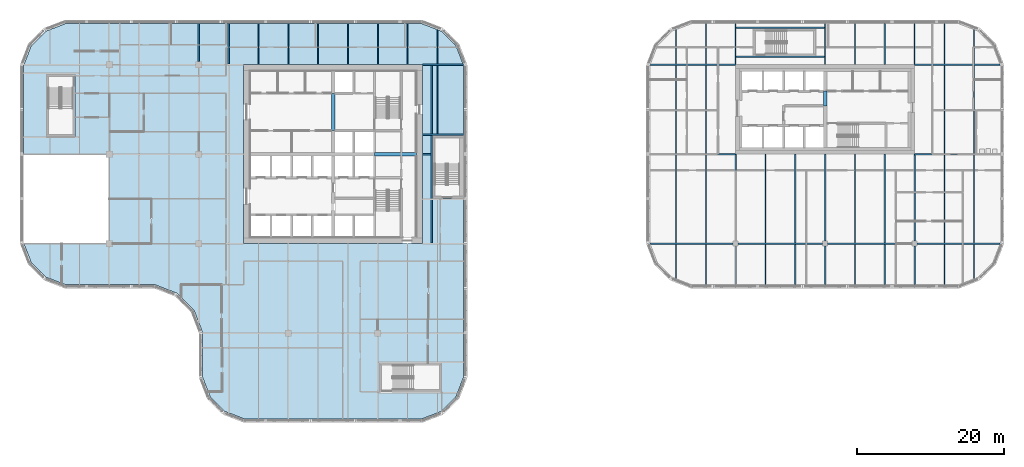
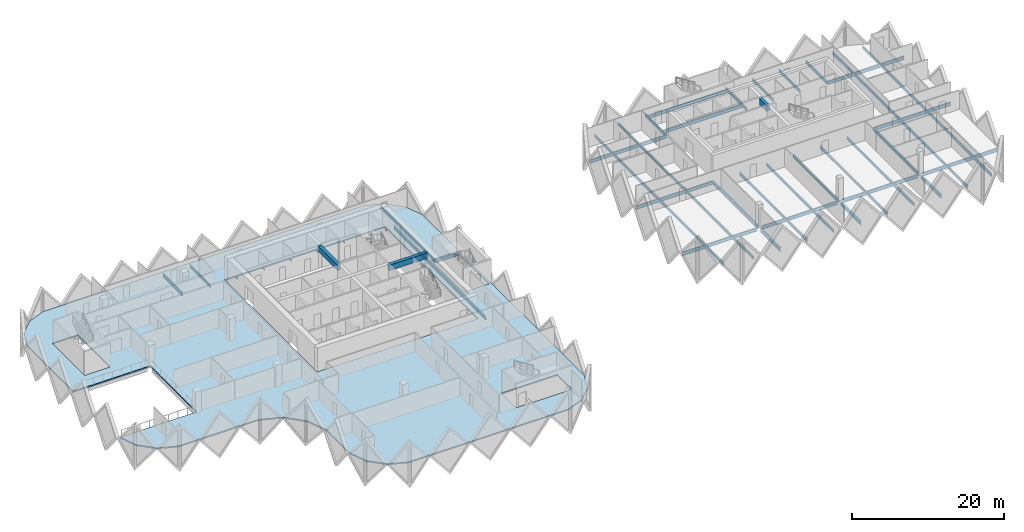
# One storey, part 2 of 19: 62 beams, 1 slab.
"""IFC4 building model written with IfcOpenShell, lengths in metres."""

from ifc_helpers import new_model, si_unit, direction, frame, origin, origin_2d, place, context, subcontext, project, spatial, polyline, rectangle, i_section, outline, extrude, material, layer, layer_set, material_profile, profile_set, type_object, element, save


model = new_model("IFC4")

# Units and contexts
model_context = context("Model", 3, precision=1e-05, world=origin(), true_north=direction((0.0, 1.0)))
body_context = subcontext(model_context, "Body", "Model", "MODEL_VIEW")
ifc_project = project(units=[si_unit("LENGTHUNIT", "METRE"), si_unit("AREAUNIT", "SQUARE_METRE"), si_unit("VOLUMEUNIT", "CUBIC_METRE"), si_unit("PLANEANGLEUNIT", "RADIAN"), si_unit("MASSUNIT", "GRAM", prefix="KILO")], contexts=[model_context])

# Site, building, storey
site_placement = place(None, origin())
site = spatial("IfcSite", under=ifc_project, at=site_placement, CompositionType="ELEMENT")
building_placement = place(site_placement, origin())
building = spatial("IfcBuilding", under=site, at=building_placement, Name="Tessera Gate Towers", CompositionType="ELEMENT")
storey_placement = place(building_placement, frame((0.0, 0.0, 83.800048828125)))
storey = spatial("IfcBuildingStorey", under=building, at=storey_placement, Name="L20", CompositionType="ELEMENT", Elevation=83.800048828125)

# Beams
ifc_material_1 = material(Name="Concrete C50/60", Category="concrete")
ifc_material_profile_1 = material_profile(ifc_material_1, rectangle(XDim=0.5, YDim=0.89990234375, at=origin_2d()), Name="RC 500x900")
ifc_profile_set_1 = profile_set([ifc_material_profile_1], Name="Concrete C50/60")
beam_type_1 = type_object("IfcBeamType", Name="COUPLING BEAM 500x900 C50/60", PredefinedType="BEAM", material=ifc_profile_set_1)
beam_1_placement = place(storey_placement, frame((109.800048828125, 43.199951171875, 3.14990234375), z_axis=(0.0, 1.0, 0.0), x_axis=(-1.0, 0.0, 0.0)))
element("IfcBeam", 1, at=beam_1_placement, inside=storey, type_object=beam_type_1, Name="L20 coupling beam 1", PredefinedType="BEAM", context=body_context, shape_type="SweptSolid", body=[
    extrude(rectangle(XDim=0.5, YDim=0.89990234375, at=origin_2d()), origin(), (0.0, 0.0, 1.0), 2.0),
])
ifc_material_2 = material(Name="Concrete C60/75", Category="concrete")
ifc_material_profile_2 = material_profile(ifc_material_2, rectangle(XDim=0.5, YDim=0.89990234375, at=origin_2d()), Name="RC 500x900")
ifc_profile_set_2 = profile_set([ifc_material_profile_2], Name="Concrete C60/75")
beam_type_2 = type_object("IfcBeamType", Name="COUPLING BEAM 500x900 C60/75", PredefinedType="BEAM", material=ifc_profile_set_2)
beam_2_placement = place(storey_placement, frame((48.35009765625, 36.60009765625, 3.14990234375), z_axis=(1.0, 0.0, 0.0), x_axis=(0.0, 1.0, 0.0)))
element("IfcBeam", 2, at=beam_2_placement, inside=storey, type_object=beam_type_2, Name="L20 coupling beam 1", PredefinedType="BEAM", context=body_context, shape_type="SweptSolid", body=[
    extrude(rectangle(XDim=0.5, YDim=0.89990234375, at=origin_2d()), origin(), (0.0, 0.0, 1.0), 5.75),
])
beam_3_placement = place(storey_placement, frame((42.699951171875, 39.800048828125, 3.14990234375), z_axis=(0.0, 1.0, 0.0), x_axis=(-1.0, 0.0, 0.0)))
element("IfcBeam", 3, at=beam_3_placement, inside=storey, type_object=beam_type_2, Name="L20 coupling beam 2", PredefinedType="BEAM", context=body_context, shape_type="SweptSolid", body=[
    extrude(rectangle(XDim=0.5, YDim=0.89990234375, at=origin_2d()), origin(), (0.0, 0.0, 1.0), 5.099853515625),
])
ifc_material_3 = material(Name="Steel 350W", Category="steel")
ifc_material_profile_3 = material_profile(ifc_material_3, i_section(OverallWidth=0.208984375, OverallDepth=0.532958984375, WebThickness=0.01025390625, FlangeThickness=0.015625, at=origin_2d()), Name="W530x92")
ifc_profile_set_3 = profile_set([ifc_material_profile_3], Name="Steel 350W")
beam_type_3 = type_object("IfcBeamType", Name="FLOOR GIRDER W530x92", PredefinedType="BEAM", material=ifc_profile_set_3)
beam_4_placement = place(storey_placement, frame((54.89892578125, 36.60009765625, -0.466552734375), z_axis=(1.0, 0.0, 0.0), x_axis=(0.0, 1.0, 0.0)))
element("IfcBeam", 4, at=beam_4_placement, inside=storey, type_object=beam_type_3, Name="T1-GD-L20-2711", PredefinedType="BEAM", context=body_context, shape_type="SweptSolid", body=[
    extrude(i_section(OverallWidth=0.208984375, OverallDepth=0.532958984375, WebThickness=0.01025390625, FlangeThickness=0.015625, at=origin_2d()), origin(), (0.0, 0.0, 1.0), 1.176513671875),
])
beam_5_placement = place(storey_placement, frame((54.90087890625, 48.800048828125, -0.466552734375), z_axis=(1.0, 0.0, 0.0), x_axis=(0.0, 1.0, 0.0)))
element("IfcBeam", 5, at=beam_5_placement, inside=storey, type_object=beam_type_3, Name="T1-GD-L20-2715", PredefinedType="BEAM", context=body_context, shape_type="SweptSolid", body=[
    extrude(i_section(OverallWidth=0.208984375, OverallDepth=0.532958984375, WebThickness=0.01025390625, FlangeThickness=0.015625, at=origin_2d()), origin(), (0.0, 0.0, 1.0), 5.564208984375),
])
beam_6_placement = place(storey_placement, frame((24.39990234375, 49.25, -0.466552734375), z_axis=(0.0, 1.0, 0.0), x_axis=(-1.0, 0.0, 0.0)))
element("IfcBeam", 6, at=beam_6_placement, inside=storey, type_object=beam_type_3, Name="T1-GD-L20-2723", PredefinedType="BEAM", context=body_context, shape_type="SweptSolid", body=[
    extrude(i_section(OverallWidth=0.208984375, OverallDepth=0.532958984375, WebThickness=0.01025390625, FlangeThickness=0.015625, at=origin_2d()), origin(), (0.0, 0.0, 1.0), 5.15087890625),
])
beam_7_placement = place(storey_placement, frame((54.89892578125, 39.219970703125, -0.466552734375), z_axis=(1.0, 0.0, 0.0), x_axis=(0.0, 1.0, 0.0)))
element("IfcBeam", 7, at=beam_7_placement, inside=storey, type_object=beam_type_3, Name="T1-GD-L20-2733", PredefinedType="BEAM", context=body_context, shape_type="SweptSolid", body=[
    extrude(i_section(OverallWidth=0.208984375, OverallDepth=0.532958984375, WebThickness=0.01025390625, FlangeThickness=0.015625, at=origin_2d()), origin(), (0.0, 0.0, 1.0), 5.60205078125),
])
beam_8_placement = place(storey_placement, frame((56.179931640625, 24.50439453125, -0.466552734375), z_axis=(0.0, 1.0, 0.0), x_axis=(-1.0, 0.0, 0.0)))
element("IfcBeam", 8, at=beam_8_placement, inside=storey, type_object=beam_type_3, Name="T1-GD-L20-2734", PredefinedType="BEAM", context=body_context, shape_type="SweptSolid", body=[
    extrude(i_section(OverallWidth=0.208984375, OverallDepth=0.532958984375, WebThickness=0.01025390625, FlangeThickness=0.015625, at=origin_2d()), origin(), (0.0, 0.0, 1.0), 24.191162109375),
])
beam_9_placement = place(storey_placement, frame((85.934814453125, 24.39990234375, -0.466552734375), z_axis=(1.0, 0.0, 0.0), x_axis=(0.0, 1.0, 0.0)))
element("IfcBeam", 9, at=beam_9_placement, inside=storey, type_object=beam_type_3, Name="T2-GD-L20-2775", PredefinedType="BEAM", context=body_context, shape_type="SweptSolid", body=[
    extrude(i_section(OverallWidth=0.208984375, OverallDepth=0.532958984375, WebThickness=0.01025390625, FlangeThickness=0.015625, at=origin_2d()), origin(), (0.0, 0.0, 1.0), 11.315185546875),
])
for number, where, z_axis, x_axis, name in (
    (10, (97.949951171875, 24.39990234375, -0.466552734375), (1.0, 0.0, 0.0), (0.0, 1.0, 0.0), "T2-GD-L20-2776"),
    (11, (110.14990234375, 24.39990234375, -0.466552734375), (1.0, 0.0, 0.0), (0.0, 1.0, 0.0), "T2-GD-L20-2777"),
):
    element("IfcBeam", number, at=place(storey_placement, frame(where, z_axis=z_axis, x_axis=x_axis)), inside=storey, type_object=beam_type_3, Name=name, PredefinedType="BEAM", context=body_context, shape_type="SweptSolid", body=[
        extrude(i_section(OverallWidth=0.208984375, OverallDepth=0.532958984375, WebThickness=0.01025390625, FlangeThickness=0.015625, at=origin_2d()), origin(), (0.0, 0.0, 1.0), 11.5),
    ])
beam_10_placement = place(storey_placement, frame((122.35009765625, 24.39990234375, -0.466552734375), z_axis=(1.0, 0.0, 0.0), x_axis=(0.0, 1.0, 0.0)))
element("IfcBeam", 12, at=beam_10_placement, inside=storey, type_object=beam_type_3, Name="T2-GD-L20-2778", PredefinedType="BEAM", context=body_context, shape_type="SweptSolid", body=[
    extrude(i_section(OverallWidth=0.208984375, OverallDepth=0.532958984375, WebThickness=0.01025390625, FlangeThickness=0.015625, at=origin_2d()), origin(), (0.0, 0.0, 1.0), 11.315185546875),
])
beam_11_placement = place(storey_placement, frame((85.89892578125, 36.60009765625, -0.466552734375), z_axis=(1.0, 0.0, 0.0), x_axis=(0.0, 1.0, 0.0)))
element("IfcBeam", 13, at=beam_11_placement, inside=storey, type_object=beam_type_3, Name="T2-GD-L20-2779", PredefinedType="BEAM", context=body_context, shape_type="SweptSolid", body=[
    extrude(i_section(OverallWidth=0.208984375, OverallDepth=0.532958984375, WebThickness=0.01025390625, FlangeThickness=0.015625, at=origin_2d()), origin(), (0.0, 0.0, 1.0), 11.7001953125),
])
beam_12_placement = place(storey_placement, frame((122.0009765625, 36.60009765625, -0.466552734375), z_axis=(1.0, 0.0, 0.0), x_axis=(0.0, 1.0, 0.0)))
element("IfcBeam", 14, at=beam_12_placement, inside=storey, type_object=beam_type_3, Name="T2-GD-L20-2780", PredefinedType="BEAM", context=body_context, shape_type="SweptSolid", body=[
    extrude(i_section(OverallWidth=0.208984375, OverallDepth=0.532958984375, WebThickness=0.01025390625, FlangeThickness=0.015625, at=origin_2d()), origin(), (0.0, 0.0, 1.0), 11.699951171875),
])
for number, where, z_axis, x_axis, name in (
    (15, (85.934814453125, 48.800048828125, -0.466552734375), (1.0, 0.0, 0.0), (0.0, 1.0, 0.0), "T2-GD-L20-2781"),
    (16, (122.0009765625, 48.800048828125, -0.466552734375), (1.0, 0.0, 0.0), (0.0, 1.0, 0.0), "T2-GD-L20-2782"),
):
    element("IfcBeam", number, at=place(storey_placement, frame(where, z_axis=z_axis, x_axis=x_axis)), inside=storey, type_object=beam_type_3, Name=name, PredefinedType="BEAM", context=body_context, shape_type="SweptSolid", body=[
        extrude(i_section(OverallWidth=0.208984375, OverallDepth=0.532958984375, WebThickness=0.01025390625, FlangeThickness=0.015625, at=origin_2d()), origin(), (0.0, 0.0, 1.0), 11.664306640625),
    ])
beam_13_placement = place(storey_placement, frame((97.60009765625, 18.799072265625, -0.466552734375), z_axis=(0.0, 1.0, 0.0), x_axis=(-1.0, 0.0, 0.0)))
element("IfcBeam", 17, at=beam_13_placement, inside=storey, type_object=beam_type_3, Name="T2-GD-L20-2783", PredefinedType="BEAM", context=body_context, shape_type="SweptSolid", body=[
    extrude(i_section(OverallWidth=0.208984375, OverallDepth=0.532958984375, WebThickness=0.01025390625, FlangeThickness=0.015625, at=origin_2d()), origin(), (0.0, 0.0, 1.0), 5.2509765625),
])
beam_14_placement = place(storey_placement, frame((97.60009765625, 24.75, -0.466552734375), z_axis=(0.0, 1.0, 0.0), x_axis=(-1.0, 0.0, 0.0)))
element("IfcBeam", 18, at=beam_14_placement, inside=storey, type_object=beam_type_3, Name="T2-GD-L20-2784", PredefinedType="BEAM", context=body_context, shape_type="SweptSolid", body=[
    extrude(i_section(OverallWidth=0.208984375, OverallDepth=0.532958984375, WebThickness=0.01025390625, FlangeThickness=0.015625, at=origin_2d()), origin(), (0.0, 0.0, 1.0), 11.85009765625),
])
beam_15_placement = place(storey_placement, frame((109.800048828125, 18.799072265625, -0.466552734375), z_axis=(0.0, 1.0, 0.0), x_axis=(-1.0, 0.0, 0.0)))
element("IfcBeam", 19, at=beam_15_placement, inside=storey, type_object=beam_type_3, Name="T2-GD-L20-2785", PredefinedType="BEAM", context=body_context, shape_type="SweptSolid", body=[
    extrude(i_section(OverallWidth=0.208984375, OverallDepth=0.532958984375, WebThickness=0.01025390625, FlangeThickness=0.015625, at=origin_2d()), origin(), (0.0, 0.0, 1.0), 5.2509765625),
])
beam_16_placement = place(storey_placement, frame((109.800048828125, 24.75, -0.466552734375), z_axis=(0.0, 1.0, 0.0), x_axis=(-1.0, 0.0, 0.0)))
element("IfcBeam", 20, at=beam_16_placement, inside=storey, type_object=beam_type_3, Name="T2-GD-L20-2786", PredefinedType="BEAM", context=body_context, shape_type="SweptSolid", body=[
    extrude(i_section(OverallWidth=0.208984375, OverallDepth=0.532958984375, WebThickness=0.01025390625, FlangeThickness=0.015625, at=origin_2d()), origin(), (0.0, 0.0, 1.0), 11.85009765625),
])
beam_17_placement = place(storey_placement, frame((122.0, 18.799072265625, -0.466552734375), z_axis=(0.0, 1.0, 0.0), x_axis=(-1.0, 0.0, 0.0)))
element("IfcBeam", 21, at=beam_17_placement, inside=storey, type_object=beam_type_3, Name="T2-GD-L20-2787", PredefinedType="BEAM", context=body_context, shape_type="SweptSolid", body=[
    extrude(i_section(OverallWidth=0.208984375, OverallDepth=0.532958984375, WebThickness=0.01025390625, FlangeThickness=0.015625, at=origin_2d()), origin(), (0.0, 0.0, 1.0), 5.2509765625),
])
beam_18_placement = place(storey_placement, frame((122.0, 24.75, -0.466552734375), z_axis=(0.0, 1.0, 0.0), x_axis=(-1.0, 0.0, 0.0)))
element("IfcBeam", 22, at=beam_18_placement, inside=storey, type_object=beam_type_3, Name="T2-GD-L20-2788", PredefinedType="BEAM", context=body_context, shape_type="SweptSolid", body=[
    extrude(i_section(OverallWidth=0.208984375, OverallDepth=0.532958984375, WebThickness=0.01025390625, FlangeThickness=0.015625, at=origin_2d()), origin(), (0.0, 0.0, 1.0), 11.85009765625),
])
for number, where, z_axis, x_axis, name in (
    (23, (97.676513671875, 49.8798828125, -0.466552734375), (1.0, 0.0, 0.0), (0.0, 1.0, 0.0), "T2-GD-L20-2789"),
    (24, (97.676513671875, 53.820068359375, -0.466552734375), (1.0, 0.0, 0.0), (0.0, 1.0, 0.0), "T2-GD-L20-2790"),
):
    element("IfcBeam", number, at=place(storey_placement, frame(where, z_axis=z_axis, x_axis=x_axis)), inside=storey, type_object=beam_type_3, Name=name, PredefinedType="BEAM", context=body_context, shape_type="SweptSolid", body=[
        extrude(i_section(OverallWidth=0.208984375, OverallDepth=0.532958984375, WebThickness=0.01025390625, FlangeThickness=0.015625, at=origin_2d()), origin(), (0.0, 0.0, 1.0), 12.046875),
    ])
ifc_material_4 = material(Name="Steel 350W", Category="steel")
ifc_material_profile_4 = material_profile(ifc_material_4, i_section(OverallWidth=0.153076171875, OverallDepth=0.455078125, WebThickness=0.008056640625, FlangeThickness=0.01318359375, at=origin_2d()), Name="W460x60")
ifc_profile_set_4 = profile_set([ifc_material_profile_4], Name="Steel 350W")
beam_type_4 = type_object("IfcBeamType", Name="FLOOR SECONDARY W460x60", PredefinedType="BEAM", material=ifc_profile_set_4)
beam_19_placement = place(storey_placement, frame((28.466796875, 48.904541015625, -0.427490234375), z_axis=(0.0, 1.0, 0.0), x_axis=(-1.0, 0.0, 0.0)))
element("IfcBeam", 25, at=beam_19_placement, inside=storey, type_object=beam_type_4, Name="T1-BM-L20-2753", PredefinedType="BEAM", context=body_context, shape_type="SweptSolid", body=[
    extrude(i_section(OverallWidth=0.153076171875, OverallDepth=0.455078125, WebThickness=0.008056640625, FlangeThickness=0.01318359375, at=origin_2d()), origin(), (0.0, 0.0, 1.0), 5.495361328125),
])
for number, where, z_axis, x_axis, name in (
    (26, (32.533203125, 48.800048828125, -0.427490234375), (0.0, 1.0, 0.0), (-1.0, 0.0, 0.0), "T1-BM-L20-2756"),
    (27, (36.60009765625, 48.800048828125, -0.427490234375), (0.0, 1.0, 0.0), (-1.0, 0.0, 0.0), "T1-BM-L20-2757"),
    (28, (40.666748046875, 48.800048828125, -0.427490234375), (0.0, 1.0, 0.0), (-1.0, 0.0, 0.0), "T1-BM-L20-2760"),
    (29, (44.7333984375, 48.800048828125, -0.427490234375), (0.0, 1.0, 0.0), (-1.0, 0.0, 0.0), "T1-BM-L20-2763"),
    (30, (48.800048828125, 48.800048828125, -0.427490234375), (0.0, 1.0, 0.0), (-1.0, 0.0, 0.0), "T1-BM-L20-2764"),
    (31, (52.86669921875, 48.800048828125, -0.427490234375), (0.0, 1.0, 0.0), (-1.0, 0.0, 0.0), "T1-BM-L20-2768"),
):
    element("IfcBeam", number, at=place(storey_placement, frame(where, z_axis=z_axis, x_axis=x_axis)), inside=storey, type_object=beam_type_4, Name=name, PredefinedType="BEAM", context=body_context, shape_type="SweptSolid", body=[
        extrude(i_section(OverallWidth=0.153076171875, OverallDepth=0.455078125, WebThickness=0.008056640625, FlangeThickness=0.01318359375, at=origin_2d()), origin(), (0.0, 0.0, 1.0), 5.599853515625),
    ])
beam_20_placement = place(storey_placement, frame((56.933349609375, 39.324462890625, -0.427490234375), z_axis=(0.0, 1.0, 0.0), x_axis=(-1.0, 0.0, 0.0)))
element("IfcBeam", 32, at=beam_20_placement, inside=storey, type_object=beam_type_4, Name="T1-BM-L20-2773", PredefinedType="BEAM", context=body_context, shape_type="SweptSolid", body=[
    extrude(i_section(OverallWidth=0.153076171875, OverallDepth=0.455078125, WebThickness=0.008056640625, FlangeThickness=0.01318359375, at=origin_2d()), origin(), (0.0, 0.0, 1.0), 9.37109375),
])
for number, where, z_axis, x_axis, name in (
    (33, (56.933349609375, 48.904541015625, -0.427490234375), (0.0, 1.0, 0.0), (-1.0, 0.0, 0.0), "T1-BM-L20-2774"),
    (34, (89.466796875, 19.620361328125, -0.427490234375), (0.0, 1.0, 0.0), (-1.0, 0.0, 0.0), "T2-BM-L20-2791"),
):
    element("IfcBeam", number, at=place(storey_placement, frame(where, z_axis=z_axis, x_axis=x_axis)), inside=storey, type_object=beam_type_4, Name=name, PredefinedType="BEAM", context=body_context, shape_type="SweptSolid", body=[
        extrude(i_section(OverallWidth=0.153076171875, OverallDepth=0.455078125, WebThickness=0.008056640625, FlangeThickness=0.01318359375, at=origin_2d()), origin(), (0.0, 0.0, 1.0), 4.675048828125),
    ])
beam_21_placement = place(storey_placement, frame((89.466796875, 24.50439453125, -0.427490234375), z_axis=(0.0, 1.0, 0.0), x_axis=(-1.0, 0.0, 0.0)))
element("IfcBeam", 35, at=beam_21_placement, inside=storey, type_object=beam_type_4, Name="T2-BM-L20-2792", PredefinedType="BEAM", context=body_context, shape_type="SweptSolid", body=[
    extrude(i_section(OverallWidth=0.153076171875, OverallDepth=0.455078125, WebThickness=0.008056640625, FlangeThickness=0.01318359375, at=origin_2d()), origin(), (0.0, 0.0, 1.0), 11.9912109375),
])
beam_22_placement = place(storey_placement, frame((89.466796875, 36.70458984375, -0.427490234375), z_axis=(0.0, 1.0, 0.0), x_axis=(-1.0, 0.0, 0.0)))
element("IfcBeam", 36, at=beam_22_placement, inside=storey, type_object=beam_type_4, Name="T2-BM-L20-2793", PredefinedType="BEAM", context=body_context, shape_type="SweptSolid", body=[
    extrude(i_section(OverallWidth=0.153076171875, OverallDepth=0.455078125, WebThickness=0.008056640625, FlangeThickness=0.01318359375, at=origin_2d()), origin(), (0.0, 0.0, 1.0), 11.990966796875),
])
beam_23_placement = place(storey_placement, frame((89.466796875, 48.904541015625, -0.427490234375), z_axis=(0.0, 1.0, 0.0), x_axis=(-1.0, 0.0, 0.0)))
element("IfcBeam", 37, at=beam_23_placement, inside=storey, type_object=beam_type_4, Name="T2-BM-L20-2794", PredefinedType="BEAM", context=body_context, shape_type="SweptSolid", body=[
    extrude(i_section(OverallWidth=0.153076171875, OverallDepth=0.455078125, WebThickness=0.008056640625, FlangeThickness=0.01318359375, at=origin_2d()), origin(), (0.0, 0.0, 1.0), 4.675048828125),
])
beam_24_placement = place(storey_placement, frame((93.533203125, 18.800048828125, -0.427490234375), z_axis=(0.0, 1.0, 0.0), x_axis=(-1.0, 0.0, 0.0)))
element("IfcBeam", 38, at=beam_24_placement, inside=storey, type_object=beam_type_4, Name="T2-BM-L20-2795", PredefinedType="BEAM", context=body_context, shape_type="SweptSolid", body=[
    extrude(i_section(OverallWidth=0.153076171875, OverallDepth=0.455078125, WebThickness=0.008056640625, FlangeThickness=0.01318359375, at=origin_2d()), origin(), (0.0, 0.0, 1.0), 5.495361328125),
])
beam_25_placement = place(storey_placement, frame((93.533203125, 24.50439453125, -0.427490234375), z_axis=(0.0, 1.0, 0.0), x_axis=(-1.0, 0.0, 0.0)))
element("IfcBeam", 39, at=beam_25_placement, inside=storey, type_object=beam_type_4, Name="T2-BM-L20-2796", PredefinedType="BEAM", context=body_context, shape_type="SweptSolid", body=[
    extrude(i_section(OverallWidth=0.153076171875, OverallDepth=0.455078125, WebThickness=0.008056640625, FlangeThickness=0.01318359375, at=origin_2d()), origin(), (0.0, 0.0, 1.0), 11.9912109375),
])
beam_26_placement = place(storey_placement, frame((93.533203125, 36.70458984375, -0.427490234375), z_axis=(0.0, 1.0, 0.0), x_axis=(-1.0, 0.0, 0.0)))
element("IfcBeam", 40, at=beam_26_placement, inside=storey, type_object=beam_type_4, Name="T2-BM-L20-2797", PredefinedType="BEAM", context=body_context, shape_type="SweptSolid", body=[
    extrude(i_section(OverallWidth=0.153076171875, OverallDepth=0.455078125, WebThickness=0.008056640625, FlangeThickness=0.01318359375, at=origin_2d()), origin(), (0.0, 0.0, 1.0), 11.990966796875),
])
beam_27_placement = place(storey_placement, frame((93.533203125, 48.904541015625, -0.427490234375), z_axis=(0.0, 1.0, 0.0), x_axis=(-1.0, 0.0, 0.0)))
element("IfcBeam", 41, at=beam_27_placement, inside=storey, type_object=beam_type_4, Name="T2-BM-L20-2798", PredefinedType="BEAM", context=body_context, shape_type="SweptSolid", body=[
    extrude(i_section(OverallWidth=0.153076171875, OverallDepth=0.455078125, WebThickness=0.008056640625, FlangeThickness=0.01318359375, at=origin_2d()), origin(), (0.0, 0.0, 1.0), 5.495361328125),
])
beam_28_placement = place(storey_placement, frame((97.60009765625, 48.800048828125, -0.427490234375), z_axis=(0.0, 1.0, 0.0), x_axis=(-1.0, 0.0, 0.0)))
element("IfcBeam", 42, at=beam_28_placement, inside=storey, type_object=beam_type_4, Name="T2-BM-L20-2799", PredefinedType="BEAM", context=body_context, shape_type="SweptSolid", body=[
    extrude(i_section(OverallWidth=0.153076171875, OverallDepth=0.455078125, WebThickness=0.008056640625, FlangeThickness=0.01318359375, at=origin_2d()), origin(), (0.0, 0.0, 1.0), 5.599853515625),
])
beam_29_placement = place(storey_placement, frame((101.666748046875, 18.800048828125, -0.427490234375), z_axis=(0.0, 1.0, 0.0), x_axis=(-1.0, 0.0, 0.0)))
element("IfcBeam", 43, at=beam_29_placement, inside=storey, type_object=beam_type_4, Name="T2-BM-L20-2800", PredefinedType="BEAM", context=body_context, shape_type="SweptSolid", body=[
    extrude(i_section(OverallWidth=0.153076171875, OverallDepth=0.455078125, WebThickness=0.008056640625, FlangeThickness=0.01318359375, at=origin_2d()), origin(), (0.0, 0.0, 1.0), 5.495361328125),
])
beam_30_placement = place(storey_placement, frame((101.666748046875, 24.50439453125, -0.427490234375), z_axis=(0.0, 1.0, 0.0), x_axis=(-1.0, 0.0, 0.0)))
element("IfcBeam", 44, at=beam_30_placement, inside=storey, type_object=beam_type_4, Name="T2-BM-L20-2801", PredefinedType="BEAM", context=body_context, shape_type="SweptSolid", body=[
    extrude(i_section(OverallWidth=0.153076171875, OverallDepth=0.455078125, WebThickness=0.008056640625, FlangeThickness=0.01318359375, at=origin_2d()), origin(), (0.0, 0.0, 1.0), 12.095703125),
])
beam_31_placement = place(storey_placement, frame((105.7333984375, 18.800048828125, -0.427490234375), z_axis=(0.0, 1.0, 0.0), x_axis=(-1.0, 0.0, 0.0)))
element("IfcBeam", 45, at=beam_31_placement, inside=storey, type_object=beam_type_4, Name="T2-BM-L20-2802", PredefinedType="BEAM", context=body_context, shape_type="SweptSolid", body=[
    extrude(i_section(OverallWidth=0.153076171875, OverallDepth=0.455078125, WebThickness=0.008056640625, FlangeThickness=0.01318359375, at=origin_2d()), origin(), (0.0, 0.0, 1.0), 5.495361328125),
])
beam_32_placement = place(storey_placement, frame((105.7333984375, 24.50439453125, -0.427490234375), z_axis=(0.0, 1.0, 0.0), x_axis=(-1.0, 0.0, 0.0)))
element("IfcBeam", 46, at=beam_32_placement, inside=storey, type_object=beam_type_4, Name="T2-BM-L20-2803", PredefinedType="BEAM", context=body_context, shape_type="SweptSolid", body=[
    extrude(i_section(OverallWidth=0.153076171875, OverallDepth=0.455078125, WebThickness=0.008056640625, FlangeThickness=0.01318359375, at=origin_2d()), origin(), (0.0, 0.0, 1.0), 12.095703125),
])
beam_33_placement = place(storey_placement, frame((109.800048828125, 48.800048828125, -0.427490234375), z_axis=(0.0, 1.0, 0.0), x_axis=(-1.0, 0.0, 0.0)))
element("IfcBeam", 47, at=beam_33_placement, inside=storey, type_object=beam_type_4, Name="T2-BM-L20-2804", PredefinedType="BEAM", context=body_context, shape_type="SweptSolid", body=[
    extrude(i_section(OverallWidth=0.153076171875, OverallDepth=0.455078125, WebThickness=0.008056640625, FlangeThickness=0.01318359375, at=origin_2d()), origin(), (0.0, 0.0, 1.0), 5.599853515625),
])
beam_34_placement = place(storey_placement, frame((113.86669921875, 18.800048828125, -0.427490234375), z_axis=(0.0, 1.0, 0.0), x_axis=(-1.0, 0.0, 0.0)))
element("IfcBeam", 48, at=beam_34_placement, inside=storey, type_object=beam_type_4, Name="T2-BM-L20-2805", PredefinedType="BEAM", context=body_context, shape_type="SweptSolid", body=[
    extrude(i_section(OverallWidth=0.153076171875, OverallDepth=0.455078125, WebThickness=0.008056640625, FlangeThickness=0.01318359375, at=origin_2d()), origin(), (0.0, 0.0, 1.0), 5.495361328125),
])
beam_35_placement = place(storey_placement, frame((113.86669921875, 24.50439453125, -0.427490234375), z_axis=(0.0, 1.0, 0.0), x_axis=(-1.0, 0.0, 0.0)))
element("IfcBeam", 49, at=beam_35_placement, inside=storey, type_object=beam_type_4, Name="T2-BM-L20-2806", PredefinedType="BEAM", context=body_context, shape_type="SweptSolid", body=[
    extrude(i_section(OverallWidth=0.153076171875, OverallDepth=0.455078125, WebThickness=0.008056640625, FlangeThickness=0.01318359375, at=origin_2d()), origin(), (0.0, 0.0, 1.0), 12.095703125),
])
beam_36_placement = place(storey_placement, frame((113.86669921875, 48.800048828125, -0.427490234375), z_axis=(0.0, 1.0, 0.0), x_axis=(-1.0, 0.0, 0.0)))
element("IfcBeam", 50, at=beam_36_placement, inside=storey, type_object=beam_type_4, Name="T2-BM-L20-2807", PredefinedType="BEAM", context=body_context, shape_type="SweptSolid", body=[
    extrude(i_section(OverallWidth=0.153076171875, OverallDepth=0.455078125, WebThickness=0.008056640625, FlangeThickness=0.01318359375, at=origin_2d()), origin(), (0.0, 0.0, 1.0), 5.599853515625),
])
beam_37_placement = place(storey_placement, frame((117.933349609375, 18.800048828125, -0.427490234375), z_axis=(0.0, 1.0, 0.0), x_axis=(-1.0, 0.0, 0.0)))
element("IfcBeam", 51, at=beam_37_placement, inside=storey, type_object=beam_type_4, Name="T2-BM-L20-2808", PredefinedType="BEAM", context=body_context, shape_type="SweptSolid", body=[
    extrude(i_section(OverallWidth=0.153076171875, OverallDepth=0.455078125, WebThickness=0.008056640625, FlangeThickness=0.01318359375, at=origin_2d()), origin(), (0.0, 0.0, 1.0), 5.495361328125),
])
beam_38_placement = place(storey_placement, frame((117.933349609375, 24.50439453125, -0.427490234375), z_axis=(0.0, 1.0, 0.0), x_axis=(-1.0, 0.0, 0.0)))
element("IfcBeam", 52, at=beam_38_placement, inside=storey, type_object=beam_type_4, Name="T2-BM-L20-2809", PredefinedType="BEAM", context=body_context, shape_type="SweptSolid", body=[
    extrude(i_section(OverallWidth=0.153076171875, OverallDepth=0.455078125, WebThickness=0.008056640625, FlangeThickness=0.01318359375, at=origin_2d()), origin(), (0.0, 0.0, 1.0), 12.095703125),
])
for number, where, z_axis, x_axis, name in (
    (53, (117.933349609375, 48.800048828125, -0.427490234375), (0.0, 1.0, 0.0), (-1.0, 0.0, 0.0), "T2-BM-L20-2810"),
    (54, (122.0, 48.800048828125, -0.427490234375), (0.0, 1.0, 0.0), (-1.0, 0.0, 0.0), "T2-BM-L20-2811"),
):
    element("IfcBeam", number, at=place(storey_placement, frame(where, z_axis=z_axis, x_axis=x_axis)), inside=storey, type_object=beam_type_4, Name=name, PredefinedType="BEAM", context=body_context, shape_type="SweptSolid", body=[
        extrude(i_section(OverallWidth=0.153076171875, OverallDepth=0.455078125, WebThickness=0.008056640625, FlangeThickness=0.01318359375, at=origin_2d()), origin(), (0.0, 0.0, 1.0), 5.599853515625),
    ])
beam_39_placement = place(storey_placement, frame((126.066650390625, 18.800048828125, -0.427490234375), z_axis=(0.0, 1.0, 0.0), x_axis=(-1.0, 0.0, 0.0)))
element("IfcBeam", 55, at=beam_39_placement, inside=storey, type_object=beam_type_4, Name="T2-BM-L20-2812", PredefinedType="BEAM", context=body_context, shape_type="SweptSolid", body=[
    extrude(i_section(OverallWidth=0.153076171875, OverallDepth=0.455078125, WebThickness=0.008056640625, FlangeThickness=0.01318359375, at=origin_2d()), origin(), (0.0, 0.0, 1.0), 5.495361328125),
])
beam_40_placement = place(storey_placement, frame((126.066650390625, 24.50439453125, -0.427490234375), z_axis=(0.0, 1.0, 0.0), x_axis=(-1.0, 0.0, 0.0)))
element("IfcBeam", 56, at=beam_40_placement, inside=storey, type_object=beam_type_4, Name="T2-BM-L20-2813", PredefinedType="BEAM", context=body_context, shape_type="SweptSolid", body=[
    extrude(i_section(OverallWidth=0.153076171875, OverallDepth=0.455078125, WebThickness=0.008056640625, FlangeThickness=0.01318359375, at=origin_2d()), origin(), (0.0, 0.0, 1.0), 11.9912109375),
])
beam_41_placement = place(storey_placement, frame((126.066650390625, 36.70458984375, -0.427490234375), z_axis=(0.0, 1.0, 0.0), x_axis=(-1.0, 0.0, 0.0)))
element("IfcBeam", 57, at=beam_41_placement, inside=storey, type_object=beam_type_4, Name="T2-BM-L20-2814", PredefinedType="BEAM", context=body_context, shape_type="SweptSolid", body=[
    extrude(i_section(OverallWidth=0.153076171875, OverallDepth=0.455078125, WebThickness=0.008056640625, FlangeThickness=0.01318359375, at=origin_2d()), origin(), (0.0, 0.0, 1.0), 11.990966796875),
])
beam_42_placement = place(storey_placement, frame((126.066650390625, 48.904541015625, -0.427490234375), z_axis=(0.0, 1.0, 0.0), x_axis=(-1.0, 0.0, 0.0)))
element("IfcBeam", 58, at=beam_42_placement, inside=storey, type_object=beam_type_4, Name="T2-BM-L20-2815", PredefinedType="BEAM", context=body_context, shape_type="SweptSolid", body=[
    extrude(i_section(OverallWidth=0.153076171875, OverallDepth=0.455078125, WebThickness=0.008056640625, FlangeThickness=0.01318359375, at=origin_2d()), origin(), (0.0, 0.0, 1.0), 5.495361328125),
])
beam_43_placement = place(storey_placement, frame((130.13330078125, 19.620361328125, -0.427490234375), z_axis=(0.0, 1.0, 0.0), x_axis=(-1.0, 0.0, 0.0)))
element("IfcBeam", 59, at=beam_43_placement, inside=storey, type_object=beam_type_4, Name="T2-BM-L20-2816", PredefinedType="BEAM", context=body_context, shape_type="SweptSolid", body=[
    extrude(i_section(OverallWidth=0.153076171875, OverallDepth=0.455078125, WebThickness=0.008056640625, FlangeThickness=0.01318359375, at=origin_2d()), origin(), (0.0, 0.0, 1.0), 4.675048828125),
])
beam_44_placement = place(storey_placement, frame((130.13330078125, 24.50439453125, -0.427490234375), z_axis=(0.0, 1.0, 0.0), x_axis=(-1.0, 0.0, 0.0)))
element("IfcBeam", 60, at=beam_44_placement, inside=storey, type_object=beam_type_4, Name="T2-BM-L20-2817", PredefinedType="BEAM", context=body_context, shape_type="SweptSolid", body=[
    extrude(i_section(OverallWidth=0.153076171875, OverallDepth=0.455078125, WebThickness=0.008056640625, FlangeThickness=0.01318359375, at=origin_2d()), origin(), (0.0, 0.0, 1.0), 11.9912109375),
])
beam_45_placement = place(storey_placement, frame((130.13330078125, 36.70458984375, -0.427490234375), z_axis=(0.0, 1.0, 0.0), x_axis=(-1.0, 0.0, 0.0)))
element("IfcBeam", 61, at=beam_45_placement, inside=storey, type_object=beam_type_4, Name="T2-BM-L20-2818", PredefinedType="BEAM", context=body_context, shape_type="SweptSolid", body=[
    extrude(i_section(OverallWidth=0.153076171875, OverallDepth=0.455078125, WebThickness=0.008056640625, FlangeThickness=0.01318359375, at=origin_2d()), origin(), (0.0, 0.0, 1.0), 11.990966796875),
])
beam_46_placement = place(storey_placement, frame((130.13330078125, 48.904541015625, -0.427490234375), z_axis=(0.0, 1.0, 0.0), x_axis=(-1.0, 0.0, 0.0)))
element("IfcBeam", 62, at=beam_46_placement, inside=storey, type_object=beam_type_4, Name="T2-BM-L20-2819", PredefinedType="BEAM", context=body_context, shape_type="SweptSolid", body=[
    extrude(i_section(OverallWidth=0.153076171875, OverallDepth=0.455078125, WebThickness=0.008056640625, FlangeThickness=0.01318359375, at=origin_2d()), origin(), (0.0, 0.0, 1.0), 4.675048828125),
])

# Slab
ifc_material_5 = material(Name="Concrete C35/45", Category="concrete")
ifc_layer = layer(ifc_material_5, 0.199951171875)
ifc_layer_set = layer_set([ifc_layer], Name="COMPOSITE FLOOR 200")
slab_type = type_object("IfcSlabType", Name="COMPOSITE FLOOR 200", PredefinedType="FLOOR", material=ifc_layer_set)
slab_placement = place(storey_placement, frame((0.0, 0.0, -0.199951171875)))
element("IfcSlab", 63, at=slab_placement, inside=storey, type_object=slab_type, Name="T1-L20", PredefinedType="FLOOR", context=body_context, shape_type="SweptSolid", body=[
    extrude(outline(polyline([(0.5, 36.60009765625), (12.199951171875, 36.60009765625), (12.199951171875, 24.39990234375), (0.535888671875, 24.39990234375), (1.526123046875, 21.8330078125), (3.533203125, 19.826171875), (6.193115234375, 18.800048828125), (18.39306640625, 18.800048828125), (21.42431640625, 17.630615234375), (23.730712890625, 15.32421875), (24.89990234375, 12.293212890625), (24.89990234375, 6.193115234375), (25.926025390625, 3.533203125), (27.93310546875, 1.526123046875), (30.593017578125, 0.5), (54.806884765625, 0.5), (57.466796875, 1.526123046875), (59.473876953125, 3.533203125), (60.5, 6.193115234375), (60.5, 48.706787109375), (59.473876953125, 51.366943359375), (57.466796875, 53.373779296875), (54.806884765625, 54.39990234375), (6.193115234375, 54.39990234375), (3.533203125, 53.373779296875), (1.526123046875, 51.366943359375), (0.5, 48.706787109375), (0.5, 36.60009765625)]), holes=[polyline([(3.60009765625, 39.0), (3.60009765625, 47.5), (7.5, 47.5), (7.5, 39.0), (3.60009765625, 39.0)]), polyline([(30.5, 24.39990234375), (30.5, 48.800048828125), (54.89990234375, 48.800048828125), (54.89990234375, 24.39990234375), (30.5, 24.39990234375)]), polyline([(49.0, 4.199951171875), (49.0, 8.10009765625), (57.5, 8.10009765625), (57.5, 4.199951171875), (49.0, 4.199951171875)]), polyline([(56.300048828125, 30.60009765625), (56.300048828125, 39.10009765625), (60.199951171875, 39.10009765625), (60.199951171875, 30.60009765625), (56.300048828125, 30.60009765625)])]), origin(), (0.0, 0.0, 1.0), 0.199951171875),
])

save(model, "model.ifc")
